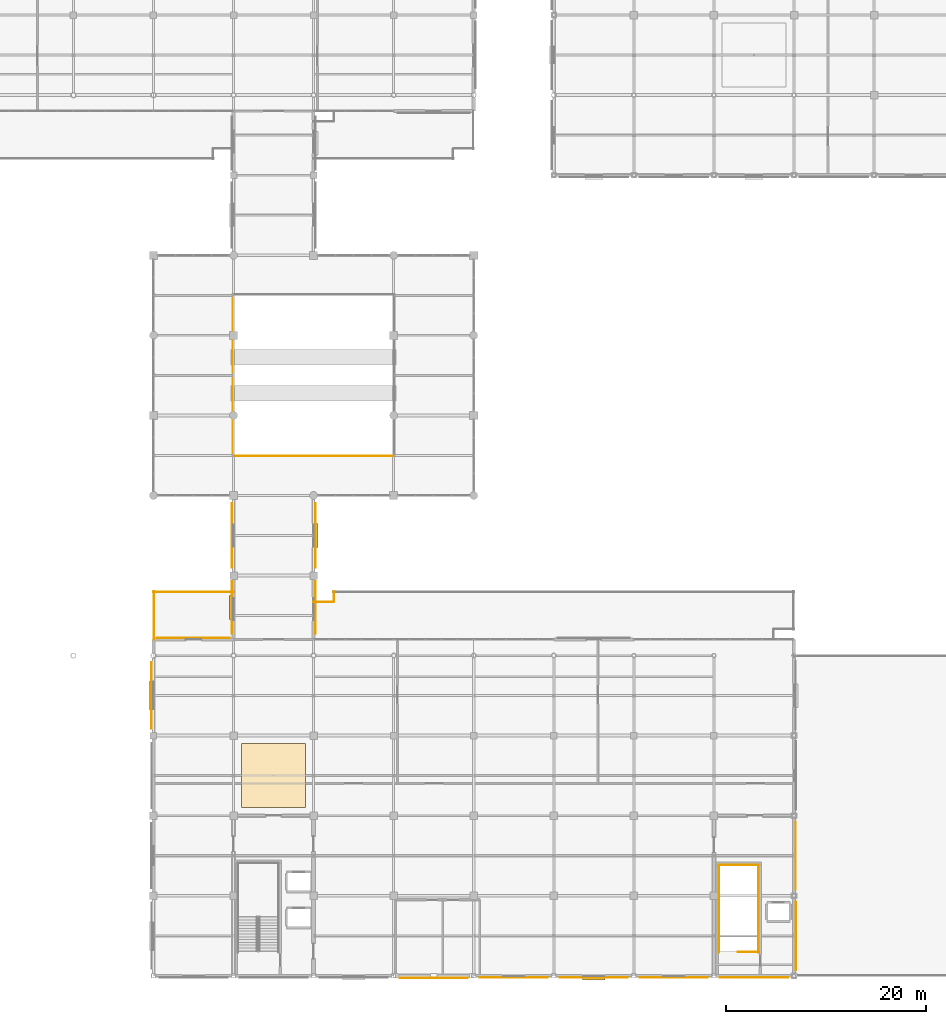
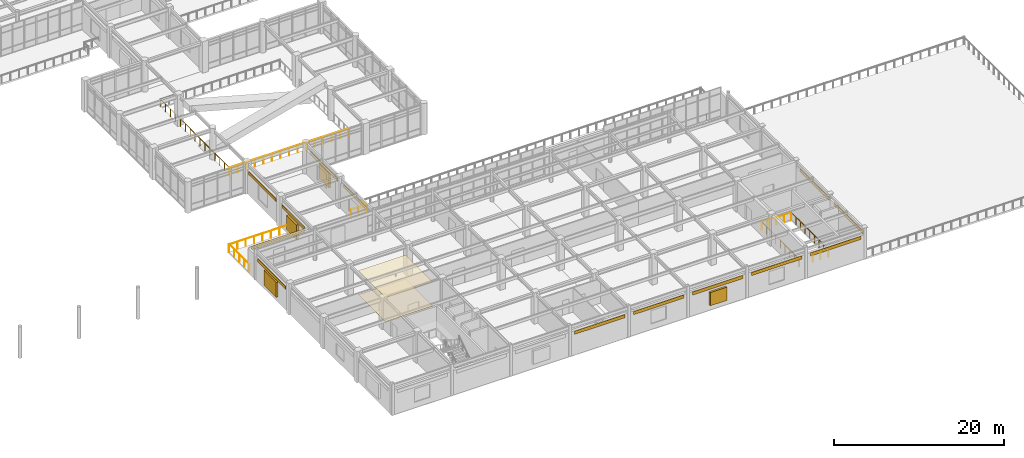
# One storey, part 83 of 93: 15 coverings, 10 railings, 4 shading devices.
"""IFC4 building model written with IfcOpenShell, lengths in metres."""

import ifcopenshell
import ifcopenshell.guid

model = None  # the IFC model being written
_history = None  # IfcOwnerHistory: only IFC2X3 demands one
_inside = {}  # id of a spatial element -> (the spatial element, [elements in it])
_under = {}  # id of a project, library or spatial element -> (it, [spatial elements below it])
_declared = {}  # id of a project -> (the project, [libraries it declares])
_typed = {}  # id of a type object -> (the type object, [elements of that type])
_made_of = {}  # id of a material, layer set ... -> (it, [elements and type objects made of it])


def new_model(schema):
    """Start an empty IFC model of exactly this schema.

    Asked for "IFC4X3", IfcOpenShell would pick the latest addendum, in which some entities
    have other attributes; the version numbers below select the first issue.
    IFC2X3 requires an IfcOwnerHistory on every rooted entity: one is made here for all.
    """
    global model, _history
    if schema == "IFC4X3":
        model = ifcopenshell.file(schema_version=(4, 3, 0, 0))
    else:
        model = ifcopenshell.file(schema=schema)
    _inside.clear()
    _under.clear()
    _declared.clear()
    _typed.clear()
    _made_of.clear()
    _history = None
    if model.schema == "IFC2X3":
        org = make("IfcOrganization", Name="unknown")
        user = make(
            "IfcPersonAndOrganization",
            ThePerson=make("IfcPerson", FamilyName="unknown"),
            TheOrganization=org,
        )
        app = make(
            "IfcApplication",
            ApplicationDeveloper=org,
            Version="unknown",
            ApplicationFullName="unknown",
            ApplicationIdentifier="unknown",
        )
        _history = make(
            "IfcOwnerHistory",
            OwningUser=user,
            OwningApplication=app,
            ChangeAction="ADDED",
            CreationDate=0,
        )
    return model


def make(cls, **values):
    """One entity of the class cls with the attributes given. An attribute that is None is left unset."""
    return model.create_entity(
        cls, **{name: value for name, value in values.items() if value is not None}
    )


def rooted(cls, **values):
    """An entity with a GlobalId (a new one), such as an element, a storey or a relation."""
    return make(cls, GlobalId=ifcopenshell.guid.new(), OwnerHistory=_history, **values)


def si_unit(unit_type, name, prefix=None):
    """IfcSIUnit, for example si_unit("LENGTHUNIT", "METRE", prefix="MILLI")."""
    return make("IfcSIUnit", UnitType=unit_type, Prefix=prefix, Name=name)


def assignment(units):
    """IfcUnitAssignment: the units of a project."""
    return None if units is None else make("IfcUnitAssignment", Units=units)


def point(xyz):
    """IfcCartesianPoint."""
    return None if xyz is None else make("IfcCartesianPoint", Coordinates=xyz)


def direction(xyz):
    """IfcDirection."""
    return None if xyz is None else make("IfcDirection", DirectionRatios=xyz)


def frame(location, z_axis=None, x_axis=None):
    """IfcAxis2Placement3D, a coordinate frame: its origin and axes. An axis left out is left unset."""
    return make(
        "IfcAxis2Placement3D",
        Location=point(location),
        Axis=direction(z_axis),
        RefDirection=direction(x_axis),
    )


def frame_2d(location, x_axis=None):
    """IfcAxis2Placement2D, a coordinate frame in the plane: its origin and x axis."""
    return make(
        "IfcAxis2Placement2D", Location=point(location), RefDirection=direction(x_axis)
    )


def origin():
    """The frame at (0, 0, 0) with its axes left unset."""
    return frame((0.0, 0.0, 0.0))


def origin_2d():
    """The frame at (0, 0) in the plane with its x axis left unset."""
    return frame_2d((0.0, 0.0))


def place(relative_to, where):
    """IfcLocalPlacement: puts the frame where relative to a parent placement (None: the world)."""
    return make(
        "IfcLocalPlacement", PlacementRelTo=relative_to, RelativePlacement=where
    )


def context(
    kind, dimensions, precision=None, world=None, true_north=None, identifier=None
):
    """IfcGeometricRepresentationContext, for example the 3D "Model" context."""
    return make(
        "IfcGeometricRepresentationContext",
        ContextIdentifier=identifier,
        ContextType=kind,
        CoordinateSpaceDimension=dimensions,
        Precision=precision,
        WorldCoordinateSystem=world,
        TrueNorth=true_north,
    )


def subcontext(parent, identifier, kind, view, scale=None):
    """IfcGeometricRepresentationSubContext, for example "Body" below "Model"."""
    return make(
        "IfcGeometricRepresentationSubContext",
        ContextIdentifier=identifier,
        ContextType=kind,
        ParentContext=parent,
        TargetScale=scale,
        TargetView=view,
    )


def project(units=None, contexts=None):
    """IfcProject with its units and contexts."""
    return rooted(
        "IfcProject",
        Name="project",
        RepresentationContexts=contexts,
        UnitsInContext=assignment(units),
    )


def spatial(cls, under=None, at=None, **own):
    """A site, building, storey or space (cls), placed at a placement, below another one or the project."""
    s = rooted(cls, ObjectPlacement=at, **own)
    if under is not None:
        _under.setdefault(under.id(), (under, []))[1].append(s)
    return s


def polyline(points):
    """IfcPolyline through the points."""
    return make("IfcPolyline", Points=[point(p) for p in points])


def profile(cls, at=None, kind="AREA", **sizes):
    """A parametric profile (cls). Its sizes go by their IFC names, for example OverallWidth=200.0."""
    return make(cls, ProfileType=kind, Position=at, **sizes)


def rectangle(**sizes):
    """IfcRectangleProfileDef."""
    return profile("IfcRectangleProfileDef", **sizes)


def circle(**sizes):
    """IfcCircleProfileDef."""
    return profile("IfcCircleProfileDef", **sizes)


def outline(outer, holes=None, kind="AREA"):
    """IfcArbitraryClosedProfileDef: a profile drawn as a closed curve; with holes, ...WithVoids."""
    if holes is None:
        return make("IfcArbitraryClosedProfileDef", ProfileType=kind, OuterCurve=outer)
    return make(
        "IfcArbitraryProfileDefWithVoids",
        ProfileType=kind,
        OuterCurve=outer,
        InnerCurves=holes,
    )


def extrude(swept, where, along, depth):
    """IfcExtrudedAreaSolid: the profile swept, set in the frame where, extruded along a direction by depth."""
    return make(
        "IfcExtrudedAreaSolid",
        SweptArea=swept,
        Position=where,
        ExtrudedDirection=direction(along),
        Depth=depth,
    )


def shape(context_of_items, identifier, shape_type, items):
    """IfcShapeRepresentation: the items that make up one representation, for example the "Body"."""
    return make(
        "IfcShapeRepresentation",
        ContextOfItems=context_of_items,
        RepresentationIdentifier=identifier,
        RepresentationType=shape_type,
        Items=items,
    )


def material(Name=None, Category=None):
    """IfcMaterial."""
    return make("IfcMaterial", Name=Name, Category=Category)


def layer(
    of_material, thickness, ventilated=None, Name=None, Category=None, Priority=None
):
    """IfcMaterialLayer: one layer of a wall or slab, of a material (None: an air gap)."""
    return make(
        "IfcMaterialLayer",
        Material=of_material,
        LayerThickness=thickness,
        IsVentilated=ventilated,
        Name=Name,
        Category=Category,
        Priority=Priority,
    )


def layer_set(layers, Name=None):
    """IfcMaterialLayerSet."""
    return make("IfcMaterialLayerSet", MaterialLayers=layers, LayerSetName=Name)


def made_of(thing, what):
    """Note that an element or type object is made of a material, layer set ...; save() writes the relation."""
    if what is not None:
        _made_of.setdefault(what.id(), (what, []))[1].append(thing)
    return thing


def type_object(cls, material=None, **own):
    """A type object (cls), such as IfcWallType, which elements share."""
    return made_of(rooted(cls, **own), material)


def element(
    cls,
    number,
    at=None,
    inside=None,
    cuts=None,
    type_object=None,
    material=None,
    context=None,
    identifier="Body",
    shape_type=None,
    held_by="IfcProductDefinitionShape",
    body=None,
    shapes=None,
    **own,
):
    """One element of the class cls, such as IfcWall. Its Tag is "e" and its number.

    at: its placement. inside: the storey or other place that contains it. cuts: it is an
    opening in that element (IfcRelVoidsElement). A single representation is given by context,
    identifier, shape_type and body (its items); several are given by shapes. held_by: the class
    of the entity that holds the representations. save() writes the other relations.
    """
    e = rooted(cls, Tag="e%d" % number, ObjectPlacement=at, **own)
    if body is not None:
        shapes = [shape(context, identifier, shape_type, body)]
    if shapes is not None:
        e.Representation = make(held_by, Representations=shapes)
    if inside is not None:
        _inside.setdefault(inside.id(), (inside, []))[1].append(e)
    if cuts is not None:
        rooted(
            "IfcRelVoidsElement", RelatingBuildingElement=cuts, RelatedOpeningElement=e
        )
    if type_object is not None:
        _typed.setdefault(type_object.id(), (type_object, []))[1].append(e)
    return made_of(e, material)


def aggregate(whole, parts):
    """IfcRelAggregates: a whole, such as a stair, and the parts it consists of."""
    return rooted("IfcRelAggregates", RelatingObject=whole, RelatedObjects=parts)


def save(model, path):
    """Write the relations noted so far, then the file.

    IfcRelAggregates (storeys below a building ...), IfcRelContainedInSpatialStructure (elements
    in a storey), IfcRelDefinesByType, IfcRelAssociatesMaterial and IfcRelDeclares: one each for
    every whole, place, type object, material and project.
    """
    for whole, parts in _under.values():
        aggregate(whole, parts)
    for where, things in _inside.values():
        rooted(
            "IfcRelContainedInSpatialStructure",
            RelatedElements=things,
            RelatingStructure=where,
        )
    for kind, things in _typed.values():
        rooted("IfcRelDefinesByType", RelatedObjects=things, RelatingType=kind)
    for what, things in _made_of.values():
        rooted("IfcRelAssociatesMaterial", RelatedObjects=things, RelatingMaterial=what)
    for by, libraries in _declared.values():
        rooted("IfcRelDeclares", RelatingContext=by, RelatedDefinitions=libraries)
    model.write(path)


model = new_model("IFC4")

# Units and contexts
model_context = context("Model", 3, precision=1e-05, world=origin(), true_north=direction((0.0, 1.0)))
body_context = subcontext(model_context, "Body", "Model", "MODEL_VIEW")
ifc_project = project(units=[si_unit("LENGTHUNIT", "METRE"), si_unit("AREAUNIT", "SQUARE_METRE"), si_unit("VOLUMEUNIT", "CUBIC_METRE"), si_unit("PLANEANGLEUNIT", "RADIAN"), si_unit("MASSUNIT", "GRAM", prefix="KILO")], contexts=[model_context])

# Site, building, storey
site_placement = place(None, origin())
site = spatial("IfcSite", under=ifc_project, at=site_placement, CompositionType="ELEMENT")
building_placement = place(site_placement, origin())
building = spatial("IfcBuilding", under=site, at=building_placement, Name="Solmirada Galleria", CompositionType="ELEMENT")
storey_placement = place(building_placement, frame((0.0, 0.0, 14.89990234375)))
storey = spatial("IfcBuildingStorey", under=building, at=storey_placement, Name="L03", CompositionType="ELEMENT", Elevation=14.89990234375)

# Coverings
ifc_material_1 = material(Name="Perforated acoustic mineral-fibre ceiling")
ifc_layer_1 = layer(ifc_material_1, 0.02490234375)
ifc_layer_set_1 = layer_set([ifc_layer_1], Name="Perforated acoustic mineral-fibre ceiling")
covering_type_1 = type_object("IfcCoveringType", Name="COV-CEIL-ACOUST", PredefinedType="CEILING", material=ifc_layer_set_1)
covering_1_placement = place(storey_placement, frame((0.0, 0.0, 3.4501953125)))
element("IfcCovering", 1, at=covering_1_placement, inside=storey, type_object=covering_type_1, Name="Acoustic ceiling panel L03-2", PredefinedType="CEILING", context=body_context, shape_type="SweptSolid", body=[
    extrude(outline(polyline([(88.800048828125, 16.800048828125), (95.199951171875, 16.800048828125), (95.199951171875, 23.199951171875), (88.800048828125, 23.199951171875), (88.800048828125, 16.800048828125)])), origin(), (0.0, 0.0, 1.0), 0.02490234375),
])
ifc_material_2 = material(Name="Limestone cladding panels", Category="masonry")
ifc_layer_2 = layer(ifc_material_2, 0.044921875)
ifc_layer_set_2 = layer_set([ifc_layer_2], Name="Limestone cladding panels")
covering_type_2 = type_object("IfcCoveringType", Name="COV-CLAD-LIME", PredefinedType="CLADDING", material=ifc_layer_set_2)
for number, where, z_axis, x_axis, name in (
    (2, (87.822509765625, 44.0, 2.990234375), (0.0, 0.0, 1.0), (0.0, 1.0, 0.0), "Postmodern facade cladding L03-181"),
    (3, (96.177490234375, 44.0, 2.990234375), (0.0, 0.0, 1.0), (0.0, -1.0, 0.0), "Postmodern facade cladding L03-205"),
):
    element("IfcCovering", number, at=place(storey_placement, frame(where, z_axis=z_axis, x_axis=x_axis)), inside=storey, type_object=covering_type_2, Name=name, PredefinedType="CLADDING", context=body_context, shape_type="SweptSolid", body=[
        extrude(rectangle(XDim=6.425048828125, YDim=0.044921875, at=origin_2d()), origin(), (0.0, 0.0, 1.0), 0.4599609375),
    ])
covering_2_placement = place(storey_placement, frame((144.177490234375, 4.0, 2.990234375), z_axis=(0.0, 0.0, 1.0), x_axis=(0.0, -1.0, 0.0)))
element("IfcCovering", 4, at=covering_2_placement, inside=storey, type_object=covering_type_2, Name="Postmodern facade cladding L03-211", PredefinedType="CLADDING", context=body_context, shape_type="SweptSolid", body=[
    extrude(rectangle(XDim=6.843994140625, YDim=0.044921875, at=origin_2d()), origin(), (0.0, 0.0, 1.0), 0.4599609375),
])
for number, where, z_axis, x_axis, name in (
    (5, (132.0, -0.177490234375, 2.990234375), (0.0, 0.0, 1.0), (-1.0, 0.0, 0.0), "Postmodern facade cladding L03-213"),
    (6, (116.0, -0.177490234375, 2.990234375), (0.0, 0.0, 1.0), (-1.0, 0.0, 0.0), "Postmodern facade cladding L03-215"),
):
    element("IfcCovering", number, at=place(storey_placement, frame(where, z_axis=z_axis, x_axis=x_axis)), inside=storey, type_object=covering_type_2, Name=name, PredefinedType="CLADDING", context=body_context, shape_type="SweptSolid", body=[
        extrude(rectangle(XDim=6.7939453125, YDim=0.044921875, at=origin_2d()), origin(), (0.0, 0.0, 1.0), 0.4599609375),
    ])
covering_3_placement = place(storey_placement, frame((79.822509765625, 28.0, 2.990234375), z_axis=(0.0, 0.0, 1.0), x_axis=(0.0, 1.0, 0.0)))
element("IfcCovering", 7, at=covering_3_placement, inside=storey, type_object=covering_type_2, Name="Postmodern facade cladding L03-223", PredefinedType="CLADDING", context=body_context, shape_type="SweptSolid", body=[
    extrude(rectangle(XDim=6.62109375, YDim=0.044921875, at=origin_2d()), origin(), (0.0, 0.0, 1.0), 0.4599609375),
])
covering_4_placement = place(storey_placement, frame((84.0, 33.777587890625, 2.990234375), z_axis=(0.0, 0.0, 1.0), x_axis=(1.0, 0.0, 0.0)))
element("IfcCovering", 8, at=covering_4_placement, inside=storey, type_object=covering_type_2, Name="Postmodern facade cladding L03-224", PredefinedType="CLADDING", context=body_context, shape_type="SweptSolid", body=[
    extrude(rectangle(XDim=7.199951171875, YDim=0.044921875, at=origin_2d()), origin(), (0.0, 0.0, 1.0), 0.4599609375),
])
ifc_material_3 = material(Name="Glazed terracotta facade panels", Category="masonry")
ifc_layer_3 = layer(ifc_material_3, 0.0400390625)
ifc_layer_set_3 = layer_set([ifc_layer_3], Name="Glazed terracotta facade panels")
covering_type_3 = type_object("IfcCoveringType", Name="COV-CLAD-TERRA", PredefinedType="CLADDING", material=ifc_layer_set_3)
for number, where, z_axis, x_axis, name in (
    (9, (87.824951171875, 36.800048828125, 2.990234375), (0.0, 0.0, 1.0), (0.0, 1.0, 0.0), "Postmodern facade cladding L03-180"),
    (10, (96.175048828125, 36.800048828125, 2.990234375), (0.0, 0.0, 1.0), (0.0, -1.0, 0.0), "Postmodern facade cladding L03-206"),
):
    element("IfcCovering", number, at=place(storey_placement, frame(where, z_axis=z_axis, x_axis=x_axis)), inside=storey, type_object=covering_type_3, Name=name, PredefinedType="CLADDING", context=body_context, shape_type="SweptSolid", body=[
        extrude(rectangle(XDim=5.22509765625, YDim=0.0400390625, at=origin_2d()), origin(), (0.0, 0.0, 1.0), 0.4599609375),
    ])
covering_5_placement = place(storey_placement, frame((144.175048828125, 12.0, 2.990234375), z_axis=(0.0, 0.0, 1.0), x_axis=(0.0, -1.0, 0.0)))
element("IfcCovering", 11, at=covering_5_placement, inside=storey, type_object=covering_type_3, Name="Postmodern facade cladding L03-210", PredefinedType="CLADDING", context=body_context, shape_type="SweptSolid", body=[
    extrude(rectangle(XDim=6.843994140625, YDim=0.0400390625, at=origin_2d()), origin(), (0.0, 0.0, 1.0), 0.4599609375),
])
covering_6_placement = place(storey_placement, frame((140.0, -0.175048828125, 2.990234375), z_axis=(0.0, 0.0, 1.0), x_axis=(-1.0, 0.0, 0.0)))
element("IfcCovering", 12, at=covering_6_placement, inside=storey, type_object=covering_type_3, Name="Postmodern facade cladding L03-212", PredefinedType="CLADDING", context=body_context, shape_type="SweptSolid", body=[
    extrude(rectangle(XDim=6.819091796875, YDim=0.0400390625, at=origin_2d()), origin(), (0.0, 0.0, 1.0), 0.4599609375),
])
for number, where, z_axis, x_axis, name in (
    (13, (124.0, -0.175048828125, 2.990234375), (0.0, 0.0, 1.0), (-1.0, 0.0, 0.0), "Postmodern facade cladding L03-214"),
    (14, (108.0, -0.199951171875, 2.990234375), (0.0, 0.0, 1.0), (-1.0, 0.0, 0.0), "Postmodern facade cladding L03-216"),
):
    element("IfcCovering", number, at=place(storey_placement, frame(where, z_axis=z_axis, x_axis=x_axis)), inside=storey, type_object=covering_type_3, Name=name, PredefinedType="CLADDING", context=body_context, shape_type="SweptSolid", body=[
        extrude(rectangle(XDim=6.7939453125, YDim=0.0400390625, at=origin_2d()), origin(), (0.0, 0.0, 1.0), 0.4599609375),
    ])
ifc_material_4 = material(Name="Polished terrazzo and porcelain tile flooring")
ifc_layer_4 = layer(ifc_material_4, 0.030029296875)
ifc_layer_set_4 = layer_set([ifc_layer_4], Name="Polished terrazzo and porcelain tile flooring")
covering_type_4 = type_object("IfcCoveringType", Name="COV-FLOOR-TERRAZ", PredefinedType="FLOORING", material=ifc_layer_set_4)
covering_7_placement = place(storey_placement, origin())
element("IfcCovering", 15, at=covering_7_placement, inside=storey, type_object=covering_type_4, Name="Terrazzo floor finish L03-2", PredefinedType="FLOORING", context=body_context, shape_type="SweptSolid", body=[
    extrude(outline(polyline([(88.800048828125, 16.800048828125), (95.199951171875, 16.800048828125), (95.199951171875, 23.199951171875), (88.800048828125, 23.199951171875), (88.800048828125, 16.800048828125)])), origin(), (0.0, 0.0, 1.0), 0.030029296875),
])

# Railings
ifc_material_5 = material(Name="Tempered laminated glass and stainless-steel balustrade", Category="steel")
railing_type_1 = type_object("IfcRailingType", Name="RAIL-ATRIUM-BAL", PredefinedType="BALUSTRADE", material=ifc_material_5)
railing_1_placement = place(storey_placement, frame((87.919921875, 51.919921875, 0.0)))
element("IfcRailing", 16, at=railing_1_placement, inside=storey, type_object=railing_type_1, Name="Void balustrade ATRIUM L03-W1", PredefinedType="BALUSTRADE", context=body_context, shape_type="SweptSolid", body=[
    extrude(circle(Radius=0.02392578125, at=origin_2d()), frame((0.0, 0.0, 1.09619140625), z_axis=(0.0, 1.0, 0.0), x_axis=(-1.0, 0.0, 0.0)), (0.0, 0.0, 1.0), 16.16015625),
    extrude(circle(Radius=0.02099609375, at=origin_2d()), origin(), (0.0, 0.0, 1.0), 1.068115234375),
    extrude(circle(Radius=0.02099609375, at=origin_2d()), frame((0.0, 1.154296875, 0.0)), (0.0, 0.0, 1.0), 1.068115234375),
    extrude(circle(Radius=0.02099609375, at=origin_2d()), frame((0.0, 2.30859375, 0.0)), (0.0, 0.0, 1.0), 1.068115234375),
    extrude(circle(Radius=0.02099609375, at=origin_2d()), frame((0.0, 3.462890625, 0.0)), (0.0, 0.0, 1.0), 1.068115234375),
    extrude(circle(Radius=0.02099609375, at=origin_2d()), frame((0.0, 4.6171875, 0.0)), (0.0, 0.0, 1.0), 1.068115234375),
    extrude(circle(Radius=0.02099609375, at=origin_2d()), frame((0.0, 5.771484375, 0.0)), (0.0, 0.0, 1.0), 1.068115234375),
    extrude(circle(Radius=0.02099609375, at=origin_2d()), frame((0.0, 6.92578125, 0.0)), (0.0, 0.0, 1.0), 1.068115234375),
    extrude(circle(Radius=0.02099609375, at=origin_2d()), frame((0.0, 8.080078125, 0.0)), (0.0, 0.0, 1.0), 1.068115234375),
    extrude(circle(Radius=0.02099609375, at=origin_2d()), frame((0.0, 9.234375, 0.0)), (0.0, 0.0, 1.0), 1.068115234375),
    extrude(circle(Radius=0.02099609375, at=origin_2d()), frame((0.0, 10.388671875, 0.0)), (0.0, 0.0, 1.0), 1.068115234375),
    extrude(circle(Radius=0.02099609375, at=origin_2d()), frame((0.0, 11.54296875, 0.0)), (0.0, 0.0, 1.0), 1.068115234375),
    extrude(circle(Radius=0.02099609375, at=origin_2d()), frame((0.0, 12.697265625, 0.0)), (0.0, 0.0, 1.0), 1.068115234375),
    extrude(circle(Radius=0.02099609375, at=origin_2d()), frame((0.0, 13.8515625, 0.0)), (0.0, 0.0, 1.0), 1.068115234375),
    extrude(circle(Radius=0.02099609375, at=origin_2d()), frame((0.0, 15.005859375, 0.0)), (0.0, 0.0, 1.0), 1.068115234375),
    extrude(circle(Radius=0.02099609375, at=origin_2d()), frame((0.0, 16.16015625, 0.0)), (0.0, 0.0, 1.0), 1.068115234375),
])
railing_2_placement = place(storey_placement, frame((87.919921875, 51.919921875, 0.0)))
element("IfcRailing", 17, at=railing_2_placement, inside=storey, type_object=railing_type_1, Name="Void balustrade ATRIUM L03-S", PredefinedType="BALUSTRADE", context=body_context, shape_type="SweptSolid", body=[
    extrude(circle(Radius=0.02392578125, at=origin_2d()), frame((0.0, 0.0, 1.09619140625), z_axis=(1.0, 0.0, 0.0), x_axis=(0.0, 1.0, 0.0)), (0.0, 0.0, 1.0), 16.16015625),
    extrude(circle(Radius=0.02099609375, at=origin_2d()), origin(), (0.0, 0.0, 1.0), 1.068115234375),
    extrude(circle(Radius=0.02099609375, at=origin_2d()), frame((1.154296875, 0.0, 0.0)), (0.0, 0.0, 1.0), 1.068115234375),
    extrude(circle(Radius=0.02099609375, at=origin_2d()), frame((2.30859375, 0.0, 0.0)), (0.0, 0.0, 1.0), 1.068115234375),
    extrude(circle(Radius=0.02099609375, at=origin_2d()), frame((3.462890625, 0.0, 0.0)), (0.0, 0.0, 1.0), 1.068115234375),
    extrude(circle(Radius=0.02099609375, at=origin_2d()), frame((4.6171875, 0.0, 0.0)), (0.0, 0.0, 1.0), 1.068115234375),
    extrude(circle(Radius=0.02099609375, at=origin_2d()), frame((5.771484375, 0.0, 0.0)), (0.0, 0.0, 1.0), 1.068115234375),
    extrude(circle(Radius=0.02099609375, at=origin_2d()), frame((6.92578125, 0.0, 0.0)), (0.0, 0.0, 1.0), 1.068115234375),
    extrude(circle(Radius=0.02099609375, at=origin_2d()), frame((8.080078125, 0.0, 0.0)), (0.0, 0.0, 1.0), 1.068115234375),
    extrude(circle(Radius=0.02099609375, at=origin_2d()), frame((9.234375, 0.0, 0.0)), (0.0, 0.0, 1.0), 1.068115234375),
    extrude(circle(Radius=0.02099609375, at=origin_2d()), frame((10.388671875, 0.0, 0.0)), (0.0, 0.0, 1.0), 1.068115234375),
    extrude(circle(Radius=0.02099609375, at=origin_2d()), frame((11.54296875, 0.0, 0.0)), (0.0, 0.0, 1.0), 1.068115234375),
    extrude(circle(Radius=0.02099609375, at=origin_2d()), frame((12.697265625, 0.0, 0.0)), (0.0, 0.0, 1.0), 1.068115234375),
    extrude(circle(Radius=0.02099609375, at=origin_2d()), frame((13.8515625, 0.0, 0.0)), (0.0, 0.0, 1.0), 1.068115234375),
    extrude(circle(Radius=0.02099609375, at=origin_2d()), frame((15.005859375, 0.0, 0.0)), (0.0, 0.0, 1.0), 1.068115234375),
    extrude(circle(Radius=0.02099609375, at=origin_2d()), frame((16.16015625, 0.0, 0.0)), (0.0, 0.0, 1.0), 1.068115234375),
])
ifc_material_6 = material(Name="Painted steel tubular railing", Category="steel")
railing_type_2 = type_object("IfcRailingType", Name="RAIL-STAIR-GUARD", PredefinedType="GUARDRAIL", material=ifc_material_6)
railing_3_placement = place(storey_placement, frame((140.5, 2.39990234375, 0.0)))
element("IfcRailing", 18, at=railing_3_placement, inside=storey, type_object=railing_type_2, Name="L03 ST6 top well guard 1", PredefinedType="GUARDRAIL", context=body_context, shape_type="SweptSolid", body=[
    extrude(circle(Radius=0.02392578125, at=origin_2d()), frame((0.0, 0.0, 1.076171875), z_axis=(-1.0, 0.0, 0.0), x_axis=(0.0, -1.0, 0.0)), (0.0, 0.0, 1.0), 2.10009765625),
    extrude(circle(Radius=0.02099609375, at=origin_2d()), origin(), (0.0, 0.0, 1.0), 1.048095703125),
    extrude(circle(Radius=0.02099609375, at=origin_2d()), frame((-1.050048828125, 0.0, 0.0)), (0.0, 0.0, 1.0), 1.048095703125),
    extrude(circle(Radius=0.02099609375, at=origin_2d()), frame((-2.10009765625, 0.0, 0.0)), (0.0, 0.0, 1.0), 1.048095703125),
])
railing_4_placement = place(storey_placement, frame((136.489990234375, 2.35009765625, 0.0)))
element("IfcRailing", 19, at=railing_4_placement, inside=storey, type_object=railing_type_2, Name="Stair ST6 well edge guard L03-1", PredefinedType="GUARDRAIL", context=body_context, shape_type="SweptSolid", body=[
    extrude(circle(Radius=0.02392578125, at=origin_2d()), frame((0.0, 0.0, 1.09619140625), z_axis=(0.0, 1.0, 0.0), x_axis=(-1.0, 0.0, 0.0)), (0.0, 0.0, 1.0), 8.7099609375),
    extrude(circle(Radius=0.02099609375, at=origin_2d()), origin(), (0.0, 0.0, 1.0), 1.068115234375),
    extrude(circle(Radius=0.02099609375, at=origin_2d()), frame((0.0, 1.0888671875, 0.0)), (0.0, 0.0, 1.0), 1.068115234375),
    extrude(circle(Radius=0.02099609375, at=origin_2d()), frame((0.0, 2.177490234375, 0.0)), (0.0, 0.0, 1.0), 1.068115234375),
    extrude(circle(Radius=0.02099609375, at=origin_2d()), frame((0.0, 3.26611328125, 0.0)), (0.0, 0.0, 1.0), 1.068115234375),
    extrude(circle(Radius=0.02099609375, at=origin_2d()), frame((0.0, 4.35498046875, 0.0)), (0.0, 0.0, 1.0), 1.068115234375),
    extrude(circle(Radius=0.02099609375, at=origin_2d()), frame((0.0, 5.44384765625, 0.0)), (0.0, 0.0, 1.0), 1.068115234375),
    extrude(circle(Radius=0.02099609375, at=origin_2d()), frame((0.0, 6.532470703125, 0.0)), (0.0, 0.0, 1.0), 1.068115234375),
    extrude(circle(Radius=0.02099609375, at=origin_2d()), frame((0.0, 7.62109375, 0.0)), (0.0, 0.0, 1.0), 1.068115234375),
    extrude(circle(Radius=0.02099609375, at=origin_2d()), frame((0.0, 8.7099609375, 0.0)), (0.0, 0.0, 1.0), 1.068115234375),
])
railing_5_placement = place(storey_placement, frame((136.489990234375, 11.06005859375, 0.0)))
element("IfcRailing", 20, at=railing_5_placement, inside=storey, type_object=railing_type_2, Name="Stair ST6 well edge guard L03-2", PredefinedType="GUARDRAIL", context=body_context, shape_type="SweptSolid", body=[
    extrude(circle(Radius=0.02392578125, at=origin_2d()), frame((0.0, 0.0, 1.09619140625), z_axis=(1.0, 0.0, 0.0), x_axis=(0.0, 1.0, 0.0)), (0.0, 0.0, 1.0), 3.969970703125),
    extrude(circle(Radius=0.02099609375, at=origin_2d()), origin(), (0.0, 0.0, 1.0), 1.068115234375),
    extrude(circle(Radius=0.02099609375, at=origin_2d()), frame((0.992431640625, 0.0, 0.0)), (0.0, 0.0, 1.0), 1.068115234375),
    extrude(circle(Radius=0.02099609375, at=origin_2d()), frame((1.98486328125, 0.0, 0.0)), (0.0, 0.0, 1.0), 1.068115234375),
    extrude(circle(Radius=0.02099609375, at=origin_2d()), frame((2.9775390625, 0.0, 0.0)), (0.0, 0.0, 1.0), 1.068115234375),
    extrude(circle(Radius=0.02099609375, at=origin_2d()), frame((3.969970703125, 0.0, 0.0)), (0.0, 0.0, 1.0), 1.068115234375),
])
railing_6_placement = place(storey_placement, frame((140.4599609375, 11.06005859375, 0.0)))
element("IfcRailing", 21, at=railing_6_placement, inside=storey, type_object=railing_type_2, Name="Stair ST6 well edge guard L03-3", PredefinedType="GUARDRAIL", context=body_context, shape_type="SweptSolid", body=[
    extrude(circle(Radius=0.02392578125, at=origin_2d()), frame((0.0, 0.0, 1.09619140625), z_axis=(0.0, -1.0, 0.0), x_axis=(1.0, 0.0, 0.0)), (0.0, 0.0, 1.0), 8.7099609375),
    extrude(circle(Radius=0.02099609375, at=origin_2d()), origin(), (0.0, 0.0, 1.0), 1.068115234375),
    extrude(circle(Radius=0.02099609375, at=origin_2d()), frame((0.0, -1.0888671875, 0.0)), (0.0, 0.0, 1.0), 1.068115234375),
    extrude(circle(Radius=0.02099609375, at=origin_2d()), frame((0.0, -2.177490234375, 0.0)), (0.0, 0.0, 1.0), 1.068115234375),
    extrude(circle(Radius=0.02099609375, at=origin_2d()), frame((0.0, -3.26611328125, 0.0)), (0.0, 0.0, 1.0), 1.068115234375),
    extrude(circle(Radius=0.02099609375, at=origin_2d()), frame((0.0, -4.35498046875, 0.0)), (0.0, 0.0, 1.0), 1.068115234375),
    extrude(circle(Radius=0.02099609375, at=origin_2d()), frame((0.0, -5.44384765625, 0.0)), (0.0, 0.0, 1.0), 1.068115234375),
    extrude(circle(Radius=0.02099609375, at=origin_2d()), frame((0.0, -6.532470703125, 0.0)), (0.0, 0.0, 1.0), 1.068115234375),
    extrude(circle(Radius=0.02099609375, at=origin_2d()), frame((0.0, -7.62109375, 0.0)), (0.0, 0.0, 1.0), 1.068115234375),
    extrude(circle(Radius=0.02099609375, at=origin_2d()), frame((0.0, -8.7099609375, 0.0)), (0.0, 0.0, 1.0), 1.068115234375),
])
ifc_material_7 = material(Name="Painted galvanized steel balustrade", Category="steel")
railing_type_3 = type_object("IfcRailingType", Name="RAIL-TERR-1100", PredefinedType="GUARDRAIL", material=ifc_material_7)
railing_7_placement = place(storey_placement, frame((88.0, 38.35009765625, 0.0)))
element("IfcRailing", 22, at=railing_7_placement, inside=storey, type_object=railing_type_3, Name="Terrace guardrail L03-TERR-SW E3.1", PredefinedType="GUARDRAIL", context=body_context, shape_type="SweptSolid", body=[
    extrude(circle(Radius=0.02392578125, at=origin_2d()), frame((0.0, 0.0, 1.09619140625), z_axis=(-1.0, 0.0, 0.0), x_axis=(0.0, -1.0, 0.0)), (0.0, 0.0, 1.0), 8.0),
    extrude(circle(Radius=0.02099609375, at=origin_2d()), origin(), (0.0, 0.0, 1.0), 1.068115234375),
    extrude(circle(Radius=0.02099609375, at=origin_2d()), frame((-1.142822265625, 0.0, 0.0)), (0.0, 0.0, 1.0), 1.068115234375),
    extrude(circle(Radius=0.02099609375, at=origin_2d()), frame((-2.28564453125, 0.0, 0.0)), (0.0, 0.0, 1.0), 1.068115234375),
    extrude(circle(Radius=0.02099609375, at=origin_2d()), frame((-3.428466796875, 0.0, 0.0)), (0.0, 0.0, 1.0), 1.068115234375),
    extrude(circle(Radius=0.02099609375, at=origin_2d()), frame((-4.571533203125, 0.0, 0.0)), (0.0, 0.0, 1.0), 1.068115234375),
    extrude(circle(Radius=0.02099609375, at=origin_2d()), frame((-5.71435546875, 0.0, 0.0)), (0.0, 0.0, 1.0), 1.068115234375),
    extrude(circle(Radius=0.02099609375, at=origin_2d()), frame((-6.857177734375, 0.0, 0.0)), (0.0, 0.0, 1.0), 1.068115234375),
    extrude(circle(Radius=0.02099609375, at=origin_2d()), frame((-8.0, 0.0, 0.0)), (0.0, 0.0, 1.0), 1.068115234375),
])
railing_8_placement = place(storey_placement, frame((80.050048828125, 38.39990234375, 0.0)))
element("IfcRailing", 23, at=railing_8_placement, inside=storey, type_object=railing_type_3, Name="Terrace guardrail L03-TERR-SW E4.1", PredefinedType="GUARDRAIL", context=body_context, shape_type="SweptSolid", body=[
    extrude(circle(Radius=0.02392578125, at=origin_2d()), frame((0.0, 0.0, 1.09619140625), z_axis=(0.0, -1.0, 0.0), x_axis=(1.0, 0.0, 0.0)), (0.0, 0.0, 1.0), 4.7998046875),
    extrude(circle(Radius=0.02099609375, at=origin_2d()), origin(), (0.0, 0.0, 1.0), 1.068115234375),
    extrude(circle(Radius=0.02099609375, at=origin_2d()), frame((0.0, -1.199951171875, 0.0)), (0.0, 0.0, 1.0), 1.068115234375),
    extrude(circle(Radius=0.02099609375, at=origin_2d()), frame((0.0, -2.39990234375, 0.0)), (0.0, 0.0, 1.0), 1.068115234375),
    extrude(circle(Radius=0.02099609375, at=origin_2d()), frame((0.0, -3.599853515625, 0.0)), (0.0, 0.0, 1.0), 1.068115234375),
    extrude(circle(Radius=0.02099609375, at=origin_2d()), frame((0.0, -4.7998046875, 0.0)), (0.0, 0.0, 1.0), 1.068115234375),
])
railing_9_placement = place(storey_placement, frame((98.050048828125, 38.39990234375, 0.0)))
element("IfcRailing", 24, at=railing_9_placement, inside=storey, type_object=railing_type_3, Name="Terrace guardrail L03-TERR-SE E6.1", PredefinedType="GUARDRAIL", context=body_context, shape_type="SweptSolid", body=[
    extrude(circle(Radius=0.02392578125, at=origin_2d()), frame((0.0, 0.0, 1.09619140625), z_axis=(0.0, -1.0, 0.0), x_axis=(1.0, 0.0, 0.0)), (0.0, 0.0, 1.0), 1.0),
    extrude(circle(Radius=0.02099609375, at=origin_2d()), origin(), (0.0, 0.0, 1.0), 1.068115234375),
    extrude(circle(Radius=0.02099609375, at=origin_2d()), frame((0.0, -1.0, 0.0)), (0.0, 0.0, 1.0), 1.068115234375),
])
railing_10_placement = place(storey_placement, frame((98.0, 37.35009765625, 0.0)))
element("IfcRailing", 25, at=railing_10_placement, inside=storey, type_object=railing_type_3, Name="Terrace guardrail L03-TERR-SE E7.1", PredefinedType="GUARDRAIL", context=body_context, shape_type="SweptSolid", body=[
    extrude(circle(Radius=0.02392578125, at=origin_2d()), frame((0.0, 0.0, 1.09619140625), z_axis=(-1.0, 0.0, 0.0), x_axis=(0.0, -1.0, 0.0)), (0.0, 0.0, 1.0), 2.0),
    extrude(circle(Radius=0.02099609375, at=origin_2d()), origin(), (0.0, 0.0, 1.0), 1.068115234375),
    extrude(circle(Radius=0.02099609375, at=origin_2d()), frame((-1.0, 0.0, 0.0)), (0.0, 0.0, 1.0), 1.068115234375),
    extrude(circle(Radius=0.02099609375, at=origin_2d()), frame((-2.0, 0.0, 0.0)), (0.0, 0.0, 1.0), 1.068115234375),
])

# Shading devices
ifc_material_8 = material(Name="Extruded aluminium storm louvres", Category="aluminium")
shading_device_type = type_object("IfcShadingDeviceType", Name="SHD-JALOUSIE", PredefinedType="JALOUSIE", material=ifc_material_8)
for number, where, z_axis, x_axis, name in (
    (26, (87.715087890625, 36.800048828125, 0.80029296875), (0.0, 0.0, 1.0), (0.0, 1.0, 0.0), "Hurricane storm jalousie louvre 063"),
    (27, (96.284912109375, 44.0, 0.80029296875), (0.0, 0.0, 1.0), (0.0, -1.0, 0.0), "Hurricane storm jalousie louvre 068"),
):
    element("IfcShadingDevice", number, at=place(storey_placement, frame(where, z_axis=z_axis, x_axis=x_axis)), inside=storey, type_object=shading_device_type, Name=name, PredefinedType="JALOUSIE", context=body_context, shape_type="SweptSolid", body=[
        extrude(rectangle(XDim=2.360107421875, YDim=0.260009765625, at=origin_2d()), origin(), (0.0, 0.0, 1.0), 2.050048828125),
    ])
shading_device_1_placement = place(storey_placement, frame((124.0, -0.284912109375, 0.800048828125), z_axis=(0.0, 0.0, 1.0), x_axis=(-1.0, 0.0, 0.0)))
element("IfcShadingDevice", 28, at=shading_device_1_placement, inside=storey, type_object=shading_device_type, Name="Hurricane storm jalousie louvre 070", PredefinedType="JALOUSIE", context=body_context, shape_type="SweptSolid", body=[
    extrude(rectangle(XDim=2.260009765625, YDim=0.260009765625, at=origin_2d()), origin(), (0.0, 0.0, 1.0), 1.89990234375),
])
shading_device_2_placement = place(storey_placement, frame((79.715087890625, 28.0, 0.800048828125), z_axis=(0.0, 0.0, 1.0), x_axis=(0.0, 1.0, 0.0)))
element("IfcShadingDevice", 29, at=shading_device_2_placement, inside=storey, type_object=shading_device_type, Name="Hurricane storm jalousie louvre 073", PredefinedType="JALOUSIE", context=body_context, shape_type="SweptSolid", body=[
    extrude(rectangle(XDim=2.909912109375, YDim=0.260009765625, at=origin_2d()), origin(), (0.0, 0.0, 1.0), 2.14990234375),
])

save(model, "model.ifc")
